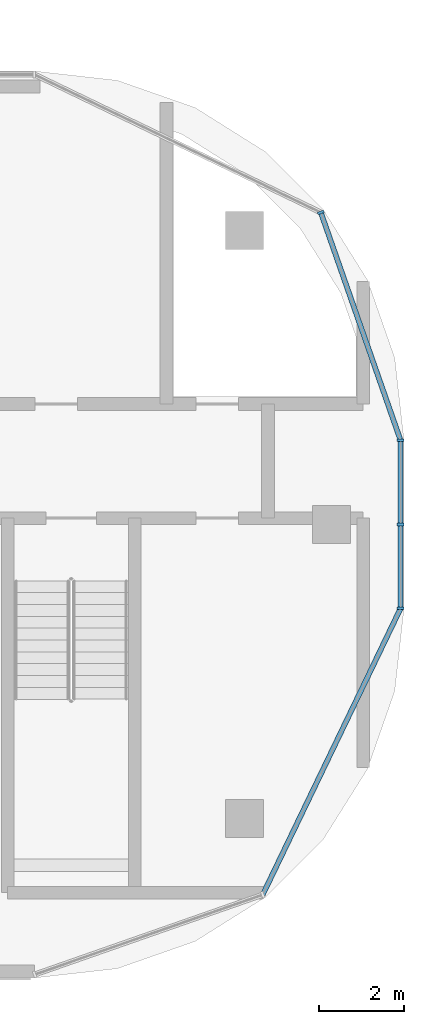
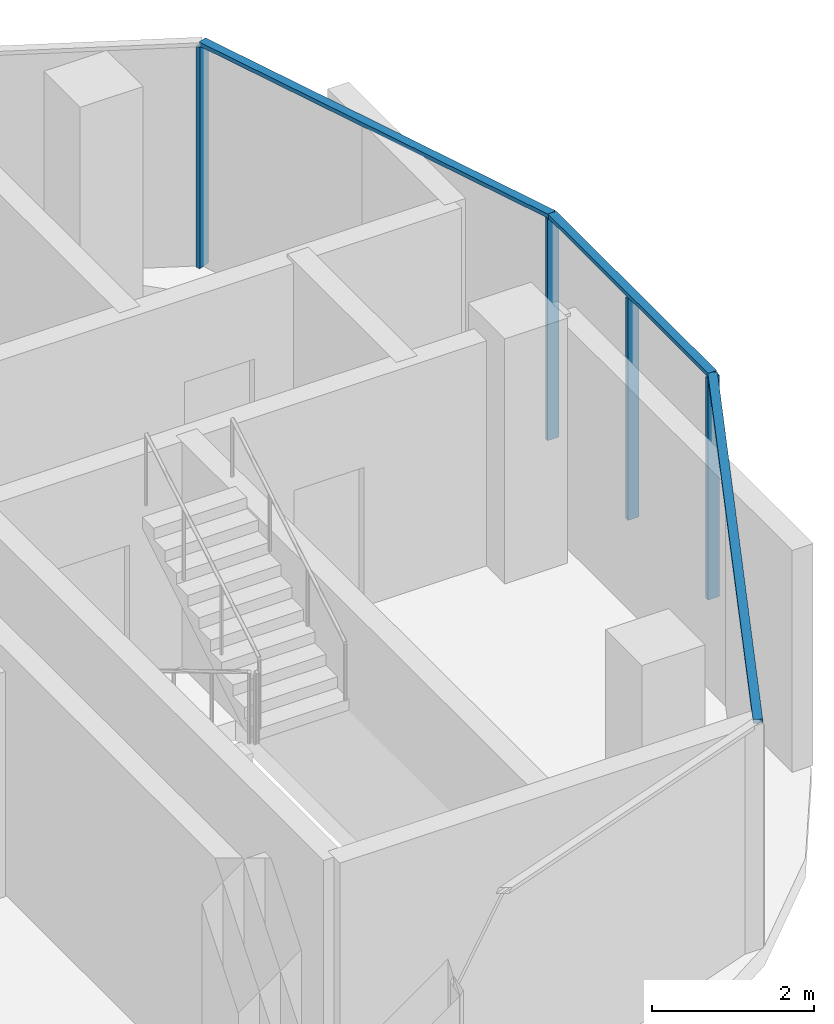
# One storey, part 7 of 19: 7 members, 3 elements without a shape of their own.
"""IFC4 building model written with IfcOpenShell, lengths in metres."""

import ifcopenshell
import ifcopenshell.guid

model = None  # the IFC model being written
_history = None  # IfcOwnerHistory: only IFC2X3 demands one
_inside = {}  # id of a spatial element -> (the spatial element, [elements in it])
_under = {}  # id of a project, library or spatial element -> (it, [spatial elements below it])
_declared = {}  # id of a project -> (the project, [libraries it declares])
_typed = {}  # id of a type object -> (the type object, [elements of that type])
_made_of = {}  # id of a material, layer set ... -> (it, [elements and type objects made of it])


def new_model(schema):
    """Start an empty IFC model of exactly this schema.

    Asked for "IFC4X3", IfcOpenShell would pick the latest addendum, in which some entities
    have other attributes; the version numbers below select the first issue.
    IFC2X3 requires an IfcOwnerHistory on every rooted entity: one is made here for all.
    """
    global model, _history
    if schema == "IFC4X3":
        model = ifcopenshell.file(schema_version=(4, 3, 0, 0))
    else:
        model = ifcopenshell.file(schema=schema)
    _inside.clear()
    _under.clear()
    _declared.clear()
    _typed.clear()
    _made_of.clear()
    _history = None
    if model.schema == "IFC2X3":
        org = make("IfcOrganization", Name="unknown")
        user = make(
            "IfcPersonAndOrganization",
            ThePerson=make("IfcPerson", FamilyName="unknown"),
            TheOrganization=org,
        )
        app = make(
            "IfcApplication",
            ApplicationDeveloper=org,
            Version="unknown",
            ApplicationFullName="unknown",
            ApplicationIdentifier="unknown",
        )
        _history = make(
            "IfcOwnerHistory",
            OwningUser=user,
            OwningApplication=app,
            ChangeAction="ADDED",
            CreationDate=0,
        )
    return model


def make(cls, **values):
    """One entity of the class cls with the attributes given. An attribute that is None is left unset."""
    return model.create_entity(
        cls, **{name: value for name, value in values.items() if value is not None}
    )


def rooted(cls, **values):
    """An entity with a GlobalId (a new one), such as an element, a storey or a relation."""
    return make(cls, GlobalId=ifcopenshell.guid.new(), OwnerHistory=_history, **values)


def si_unit(unit_type, name, prefix=None):
    """IfcSIUnit, for example si_unit("LENGTHUNIT", "METRE", prefix="MILLI")."""
    return make("IfcSIUnit", UnitType=unit_type, Prefix=prefix, Name=name)


def assignment(units):
    """IfcUnitAssignment: the units of a project."""
    return None if units is None else make("IfcUnitAssignment", Units=units)


def point(xyz):
    """IfcCartesianPoint."""
    return None if xyz is None else make("IfcCartesianPoint", Coordinates=xyz)


def direction(xyz):
    """IfcDirection."""
    return None if xyz is None else make("IfcDirection", DirectionRatios=xyz)


def frame(location, z_axis=None, x_axis=None):
    """IfcAxis2Placement3D, a coordinate frame: its origin and axes. An axis left out is left unset."""
    return make(
        "IfcAxis2Placement3D",
        Location=point(location),
        Axis=direction(z_axis),
        RefDirection=direction(x_axis),
    )


def frame_2d(location, x_axis=None):
    """IfcAxis2Placement2D, a coordinate frame in the plane: its origin and x axis."""
    return make(
        "IfcAxis2Placement2D", Location=point(location), RefDirection=direction(x_axis)
    )


def origin():
    """The frame at (0, 0, 0) with its axes left unset."""
    return frame((0.0, 0.0, 0.0))


def origin_2d():
    """The frame at (0, 0) in the plane with its x axis left unset."""
    return frame_2d((0.0, 0.0))


def place(relative_to, where):
    """IfcLocalPlacement: puts the frame where relative to a parent placement (None: the world)."""
    return make(
        "IfcLocalPlacement", PlacementRelTo=relative_to, RelativePlacement=where
    )


def context(
    kind, dimensions, precision=None, world=None, true_north=None, identifier=None
):
    """IfcGeometricRepresentationContext, for example the 3D "Model" context."""
    return make(
        "IfcGeometricRepresentationContext",
        ContextIdentifier=identifier,
        ContextType=kind,
        CoordinateSpaceDimension=dimensions,
        Precision=precision,
        WorldCoordinateSystem=world,
        TrueNorth=true_north,
    )


def subcontext(parent, identifier, kind, view, scale=None):
    """IfcGeometricRepresentationSubContext, for example "Body" below "Model"."""
    return make(
        "IfcGeometricRepresentationSubContext",
        ContextIdentifier=identifier,
        ContextType=kind,
        ParentContext=parent,
        TargetScale=scale,
        TargetView=view,
    )


def project(units=None, contexts=None):
    """IfcProject with its units and contexts."""
    return rooted(
        "IfcProject",
        Name="project",
        RepresentationContexts=contexts,
        UnitsInContext=assignment(units),
    )


def spatial(cls, under=None, at=None, **own):
    """A site, building, storey or space (cls), placed at a placement, below another one or the project."""
    s = rooted(cls, ObjectPlacement=at, **own)
    if under is not None:
        _under.setdefault(under.id(), (under, []))[1].append(s)
    return s


def profile(cls, at=None, kind="AREA", **sizes):
    """A parametric profile (cls). Its sizes go by their IFC names, for example OverallWidth=200.0."""
    return make(cls, ProfileType=kind, Position=at, **sizes)


def rectangle(**sizes):
    """IfcRectangleProfileDef."""
    return profile("IfcRectangleProfileDef", **sizes)


def extrude(swept, where, along, depth):
    """IfcExtrudedAreaSolid: the profile swept, set in the frame where, extruded along a direction by depth."""
    return make(
        "IfcExtrudedAreaSolid",
        SweptArea=swept,
        Position=where,
        ExtrudedDirection=direction(along),
        Depth=depth,
    )


def shape(context_of_items, identifier, shape_type, items):
    """IfcShapeRepresentation: the items that make up one representation, for example the "Body"."""
    return make(
        "IfcShapeRepresentation",
        ContextOfItems=context_of_items,
        RepresentationIdentifier=identifier,
        RepresentationType=shape_type,
        Items=items,
    )


def material(Name=None, Category=None):
    """IfcMaterial."""
    return make("IfcMaterial", Name=Name, Category=Category)


def material_profile(
    of_material, cross_section, Name=None, Category=None, Priority=None
):
    """IfcMaterialProfile: a cross section and its material."""
    return make(
        "IfcMaterialProfile",
        Name=Name,
        Material=of_material,
        Profile=cross_section,
        Priority=Priority,
        Category=Category,
    )


def profile_set(profiles, Name=None, composite=None):
    """IfcMaterialProfileSet."""
    return make(
        "IfcMaterialProfileSet",
        Name=Name,
        MaterialProfiles=profiles,
        CompositeProfile=composite,
    )


def made_of(thing, what):
    """Note that an element or type object is made of a material, layer set ...; save() writes the relation."""
    if what is not None:
        _made_of.setdefault(what.id(), (what, []))[1].append(thing)
    return thing


def type_object(cls, material=None, **own):
    """A type object (cls), such as IfcWallType, which elements share."""
    return made_of(rooted(cls, **own), material)


def element(
    cls,
    number,
    at=None,
    inside=None,
    cuts=None,
    type_object=None,
    material=None,
    context=None,
    identifier="Body",
    shape_type=None,
    held_by="IfcProductDefinitionShape",
    body=None,
    shapes=None,
    **own,
):
    """One element of the class cls, such as IfcWall. Its Tag is "e" and its number.

    at: its placement. inside: the storey or other place that contains it. cuts: it is an
    opening in that element (IfcRelVoidsElement). A single representation is given by context,
    identifier, shape_type and body (its items); several are given by shapes. held_by: the class
    of the entity that holds the representations. save() writes the other relations.
    """
    e = rooted(cls, Tag="e%d" % number, ObjectPlacement=at, **own)
    if body is not None:
        shapes = [shape(context, identifier, shape_type, body)]
    if shapes is not None:
        e.Representation = make(held_by, Representations=shapes)
    if inside is not None:
        _inside.setdefault(inside.id(), (inside, []))[1].append(e)
    if cuts is not None:
        rooted(
            "IfcRelVoidsElement", RelatingBuildingElement=cuts, RelatedOpeningElement=e
        )
    if type_object is not None:
        _typed.setdefault(type_object.id(), (type_object, []))[1].append(e)
    return made_of(e, material)


def aggregate(whole, parts):
    """IfcRelAggregates: a whole, such as a stair, and the parts it consists of."""
    return rooted("IfcRelAggregates", RelatingObject=whole, RelatedObjects=parts)


def save(model, path):
    """Write the relations noted so far, then the file.

    IfcRelAggregates (storeys below a building ...), IfcRelContainedInSpatialStructure (elements
    in a storey), IfcRelDefinesByType, IfcRelAssociatesMaterial and IfcRelDeclares: one each for
    every whole, place, type object, material and project.
    """
    for whole, parts in _under.values():
        aggregate(whole, parts)
    for where, things in _inside.values():
        rooted(
            "IfcRelContainedInSpatialStructure",
            RelatedElements=things,
            RelatingStructure=where,
        )
    for kind, things in _typed.values():
        rooted("IfcRelDefinesByType", RelatedObjects=things, RelatingType=kind)
    for what, things in _made_of.values():
        rooted("IfcRelAssociatesMaterial", RelatedObjects=things, RelatingMaterial=what)
    for by, libraries in _declared.values():
        rooted("IfcRelDeclares", RelatingContext=by, RelatedDefinitions=libraries)
    model.write(path)


model = new_model("IFC4")

# Units and contexts
model_context = context("Model", 3, precision=1e-05, world=origin(), true_north=direction((0.0, 1.0)))
body_context = subcontext(model_context, "Body", "Model", "MODEL_VIEW")
ifc_project = project(units=[si_unit("LENGTHUNIT", "METRE"), si_unit("AREAUNIT", "SQUARE_METRE"), si_unit("VOLUMEUNIT", "CUBIC_METRE"), si_unit("PLANEANGLEUNIT", "RADIAN"), si_unit("MASSUNIT", "GRAM", prefix="KILO")], contexts=[model_context])

# Site, building, storey
site_placement = place(None, origin())
site = spatial("IfcSite", under=ifc_project, at=site_placement, CompositionType="ELEMENT")
building_placement = place(site_placement, origin())
building = spatial("IfcBuilding", under=site, at=building_placement, Name="Ogive Portal Towers", CompositionType="ELEMENT")
storey_placement = place(building_placement, frame((0.0, 0.0, 203.199951171875)))
storey = spatial("IfcBuildingStorey", under=building, at=storey_placement, Name="L50", CompositionType="ELEMENT", Elevation=203.199951171875)

# Curtain wall, members
ifc_material_1 = material(Name="Glass, clear low-iron insulated glazing", Category="glass")
curtain_wall_type = type_object("IfcCurtainWallType", Name="CW FRONT RIBBON 4500", PredefinedType="NOTDEFINED", material=ifc_material_1)
curtain_wall_1_placement = place(storey_placement, origin())
curtain_wall_1 = element("IfcCurtainWall", 1, at=curtain_wall_1_placement, inside=storey, type_object=curtain_wall_type, Name="A:L50:f10:cw0", PredefinedType="NOTDEFINED")
ifc_material_2 = material(Name="Aluminium 6063 anodised", Category="aluminium")
ifc_material_profile_1 = material_profile(ifc_material_2, rectangle(XDim=0.159912109375, YDim=0.06005859375, at=origin_2d()), Name="AL 60x160")
ifc_profile_set_1 = profile_set([ifc_material_profile_1], Name="Aluminium 6063 anodised")
member_type_1 = type_object("IfcMemberType", Name="CW MULLION 60x160", PredefinedType="MULLION", material=ifc_profile_set_1)
member_1_placement = place(storey_placement, frame((96.135009765625, 28.518310546875, 0.0), z_axis=(0.0, 0.0, 1.0), x_axis=(-1.0, 0.0, 0.0)))
member_1 = element("IfcMember", 2, at=member_1_placement, type_object=member_type_1, Name="mullion", PredefinedType="MULLION", context=body_context, shape_type="SweptSolid", body=[
    extrude(rectangle(XDim=0.159912109375, YDim=0.06005859375, at=origin_2d()), origin(), (0.0, 0.0, 1.0), 3.340087890625),
])
member_2_placement = place(storey_placement, frame((96.135009765625, 30.5, 0.0), z_axis=(0.0, 0.0, 1.0), x_axis=(-1.0, 0.0, 0.0)))
member_2 = element("IfcMember", 3, at=member_2_placement, type_object=member_type_1, Name="mullion", PredefinedType="MULLION", context=body_context, shape_type="SweptSolid", body=[
    extrude(rectangle(XDim=0.159912109375, YDim=0.06005859375, at=origin_2d()), origin(), (0.0, 0.0, 1.0), 3.340087890625),
])
member_3_placement = place(storey_placement, frame((96.135009765625, 32.486328125, 0.0), z_axis=(0.0, 0.0, 1.0), x_axis=(-1.0, 0.0, 0.0)))
member_3 = element("IfcMember", 4, at=member_3_placement, type_object=member_type_1, Name="mullion", PredefinedType="MULLION", context=body_context, shape_type="SweptSolid", body=[
    extrude(rectangle(XDim=0.159912109375, YDim=0.06005859375, at=origin_2d()), origin(), (0.0, 0.0, 1.0), 3.340087890625),
])

# Curtain wall, member
curtain_wall_2_placement = place(storey_placement, origin())
curtain_wall_2 = element("IfcCurtainWall", 5, at=curtain_wall_2_placement, inside=storey, type_object=curtain_wall_type, Name="A:L50:f11:cwa", PredefinedType="NOTDEFINED")
member_4_placement = place(storey_placement, frame((94.2490234375, 37.8759765625, 0.0), z_axis=(0.0, 0.0, 1.0), x_axis=(-0.943883330307, -0.33027906196, 0.0)))
member_4 = element("IfcMember", 6, at=member_4_placement, type_object=member_type_1, Name="mullion", PredefinedType="MULLION", context=body_context, shape_type="SweptSolid", body=[
    extrude(rectangle(XDim=0.159912109375, YDim=0.06005859375, at=origin_2d()), origin(), (0.0, 0.0, 1.0), 3.340087890625),
])

# Member
ifc_material_profile_2 = material_profile(ifc_material_2, rectangle(XDim=0.1201171875, YDim=0.06005859375, at=origin_2d()), Name="AL 120x60")
ifc_profile_set_2 = profile_set([ifc_material_profile_2], Name="Aluminium 6063 anodised")
member_type_2 = type_object("IfcMemberType", Name="CW TRANSOM 60x120", PredefinedType="USERDEFINED", material=ifc_profile_set_2)
member_5_placement = place(storey_placement, frame((96.135009765625, 28.518310546875, 3.3701171875), z_axis=(0.0, 1.0, 0.0), x_axis=(-1.0, 0.0, 0.0)))
member_5 = element("IfcMember", 7, at=member_5_placement, type_object=member_type_2, Name="transom", ObjectType="TRANSOM", PredefinedType="USERDEFINED", context=body_context, shape_type="SweptSolid", body=[
    extrude(rectangle(XDim=0.1201171875, YDim=0.06005859375, at=origin_2d()), origin(), (0.0, 0.0, 1.0), 3.968017578125),
])

aggregate(curtain_wall_1, [member_5, member_1, member_2, member_3])

# Curtain wall, member
curtain_wall_3_placement = place(storey_placement, origin())
curtain_wall_3 = element("IfcCurtainWall", 8, at=curtain_wall_3_placement, inside=storey, type_object=curtain_wall_type, Name="A:L50:f08:cwa", PredefinedType="NOTDEFINED")
member_6_placement = place(storey_placement, frame((92.8759765625, 21.7509765625, 3.3701171875), z_axis=(0.433889890445, 0.900965905554, 0.0), x_axis=(-0.900965905554, 0.433889890445, 0.0)))
member_6 = element("IfcMember", 9, at=member_6_placement, type_object=member_type_2, Name="transom", ObjectType="TRANSOM", PredefinedType="USERDEFINED", context=body_context, shape_type="SweptSolid", body=[
    extrude(rectangle(XDim=0.1201171875, YDim=0.06005859375, at=origin_2d()), origin(), (0.0, 0.0, 1.0), 7.51123046875),
])
aggregate(curtain_wall_3, [member_6])

# Member
member_7_placement = place(storey_placement, frame((96.135009765625, 32.486328125, 3.3701171875), z_axis=(-0.330289480189, 0.943879684746, 0.0), x_axis=(-0.943879684746, -0.330289480189, 0.0)))
member_7 = element("IfcMember", 10, at=member_7_placement, type_object=member_type_2, Name="transom", ObjectType="TRANSOM", PredefinedType="USERDEFINED", context=body_context, shape_type="SweptSolid", body=[
    extrude(rectangle(XDim=0.1201171875, YDim=0.06005859375, at=origin_2d()), origin(), (0.0, 0.0, 1.0), 5.710205078125),
])

aggregate(curtain_wall_2, [member_7, member_4])

save(model, "model.ifc")
